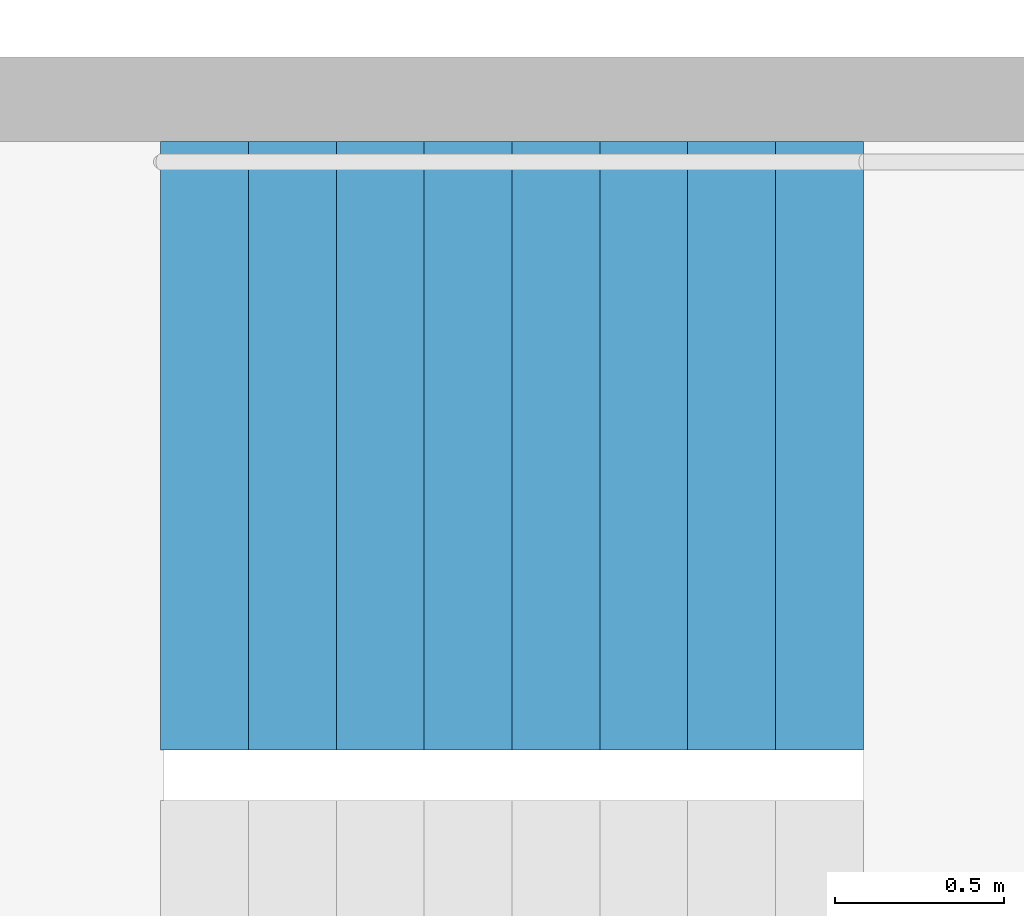
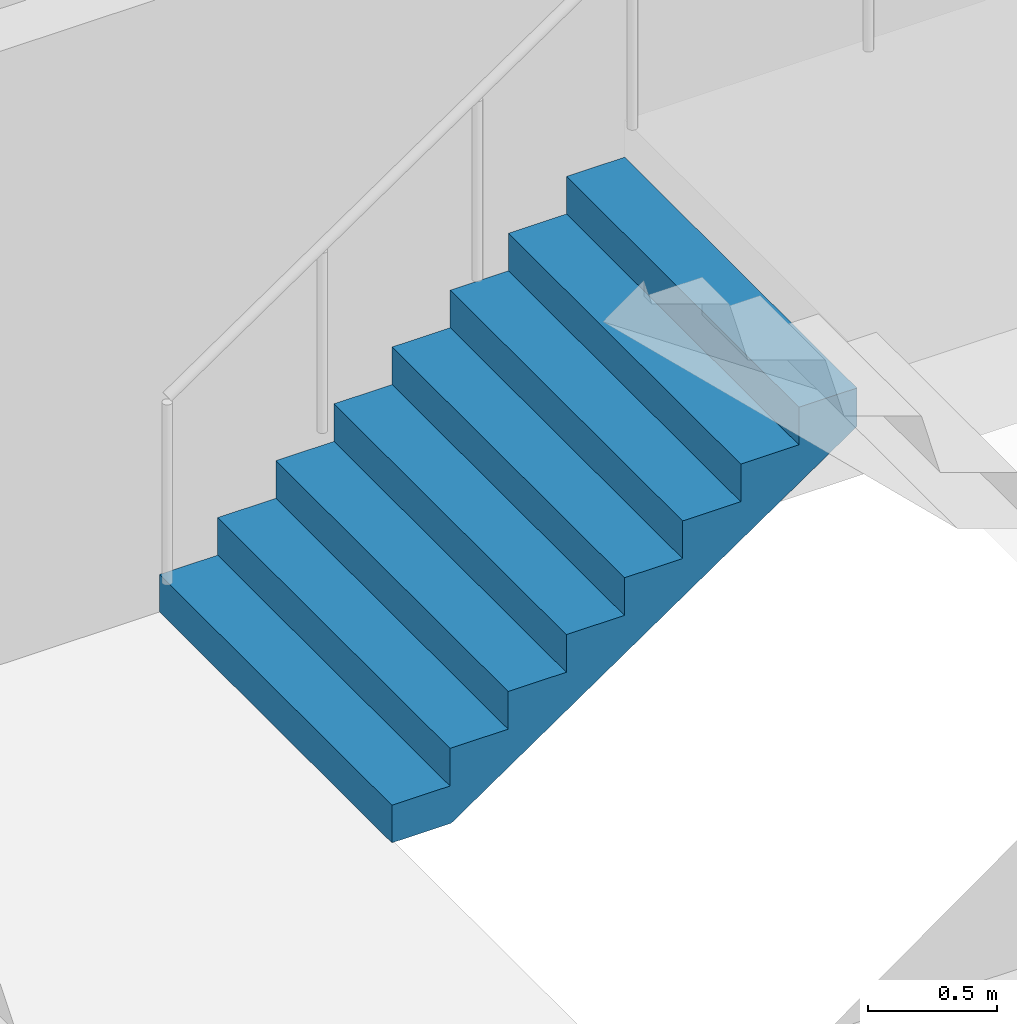
# One storey, part 23 of 26: 1 stair flight, 1 element without a shape of its own.
"""IFC4 building model written with IfcOpenShell, lengths in metres."""

from ifc_helpers import new_model, si_unit, direction, frame, origin, place, context, subcontext, project, spatial, triangles, material, type_object, element, aggregate, save


model = new_model("IFC4")

# Units and contexts
model_context = context("Model", 3, precision=1e-05, world=origin(), true_north=direction((0.0, 1.0)))
body_context = subcontext(model_context, "Body", "Model", "MODEL_VIEW")
ifc_project = project(units=[si_unit("LENGTHUNIT", "METRE"), si_unit("AREAUNIT", "SQUARE_METRE"), si_unit("VOLUMEUNIT", "CUBIC_METRE"), si_unit("PLANEANGLEUNIT", "RADIAN"), si_unit("MASSUNIT", "GRAM", prefix="KILO")], contexts=[model_context])

# Site, building, storey
site_placement = place(None, origin())
site = spatial("IfcSite", under=ifc_project, at=site_placement, CompositionType="ELEMENT")
building_placement = place(site_placement, origin())
building = spatial("IfcBuilding", under=site, at=building_placement, Name="Hakoniwa Tower and Hamabe Station Hall", CompositionType="ELEMENT")
storey_placement = place(building_placement, frame((0.0, 0.0, 172.60009765625)))
storey = spatial("IfcBuildingStorey", under=building, at=storey_placement, Name="L49", CompositionType="ELEMENT", Elevation=172.60009765625)

# Stair, stair flight
ifc_material_1 = material(Name="Concrete C40", Category="concrete")
stair_type = type_object("IfcStairType", Name="ESCAPE STAIR 1800", PredefinedType="HALF_TURN_STAIR", material=ifc_material_1)
stair_placement = place(storey_placement, origin())
stair = element("IfcStair", 1, at=stair_placement, inside=storey, type_object=stair_type, Name="Escape stair ST-4 L49", PredefinedType="HALF_TURN_STAIR")
ifc_material_2 = material(Name="Concrete C40", Category="concrete")
stair_flight_type = type_object("IfcStairFlightType", Name="STAIR FLIGHT 1800", PredefinedType="STRAIGHT", material=ifc_material_2)
stair_flight_placement = place(storey_placement, frame((23.39990234375, -4.64990234375, 0.0), z_axis=(0.0, 0.0, 1.0), x_axis=(1.0, 0.0, 0.0)))
stair_flight = element("IfcStairFlight", 2, at=stair_flight_placement, type_object=stair_flight_type, Name="ST-4 flight 1", NumberOfRisers=9, NumberOfTreads=8, PredefinedType="STRAIGHT", RiserHeight=0.177777778, TreadLength=0.26, context=body_context, shape_type="Tessellation", body=[
    triangles([(0.0, 0.89990234375, 0.0), (0.260009765625, 0.89990234375, 0.0), (0.265625, 0.89990234375, 0.0), (0.52001953125, 0.89990234375, 0.174072265625), (0.780029296875, 0.89990234375, 0.351806640625), (1.0400390625, 0.89990234375, 0.529541015625), (1.300048828125, 0.89990234375, 0.707275390625), (1.56005859375, 0.89990234375, 0.885009765625), (1.820068359375, 0.89990234375, 1.062744140625), (2.080078125, 0.89990234375, 1.24072265625), (2.080078125, 0.89990234375, 1.422119140625), (1.820068359375, 0.89990234375, 1.422119140625), (1.820068359375, 0.89990234375, 1.244384765625), (1.56005859375, 0.89990234375, 1.244384765625), (1.56005859375, 0.89990234375, 1.066650390625), (1.300048828125, 0.89990234375, 1.066650390625), (1.300048828125, 0.89990234375, 0.888916015625), (1.0400390625, 0.89990234375, 0.888916015625), (1.0400390625, 0.89990234375, 0.711181640625), (0.780029296875, 0.89990234375, 0.711181640625), (0.780029296875, 0.89990234375, 0.533447265625), (0.52001953125, 0.89990234375, 0.533447265625), (0.52001953125, 0.89990234375, 0.35546875), (0.265625, 0.89990234375, 0.35546875), (0.260009765625, 0.89990234375, 0.35546875), (0.260009765625, 0.89990234375, 0.177734375), (0.0, 0.89990234375, 0.177734375), (0.0, 0.06005859375, 0.0), (0.260009765625, 0.06005859375, 0.0), (0.265625, 0.06005859375, 0.0), (0.52001953125, 0.06005859375, 0.174072265625), (0.780029296875, 0.06005859375, 0.351806640625), (1.0400390625, 0.06005859375, 0.529541015625), (1.300048828125, 0.06005859375, 0.707275390625), (1.56005859375, 0.06005859375, 0.885009765625), (1.820068359375, 0.06005859375, 1.062744140625), (2.080078125, 0.06005859375, 1.24072265625), (2.080078125, 0.06005859375, 1.422119140625), (1.820068359375, 0.06005859375, 1.422119140625), (1.820068359375, 0.06005859375, 1.244384765625), (1.56005859375, 0.06005859375, 1.244384765625), (1.56005859375, 0.06005859375, 1.066650390625), (1.300048828125, 0.06005859375, 1.066650390625), (1.300048828125, 0.06005859375, 0.888916015625), (1.0400390625, 0.06005859375, 0.888916015625), (1.0400390625, 0.06005859375, 0.711181640625), (0.780029296875, 0.06005859375, 0.711181640625), (0.780029296875, 0.06005859375, 0.533447265625), (0.52001953125, 0.06005859375, 0.533447265625), (0.52001953125, 0.06005859375, 0.35546875), (0.265625, 0.06005859375, 0.35546875), (0.260009765625, 0.06005859375, 0.35546875), (0.260009765625, 0.06005859375, 0.177734375), (0.0, 0.06005859375, 0.177734375), (0.0, 0.04296875, 0.0), (0.260009765625, 0.04296875, 0.0), (0.265625, 0.04296875, 0.0), (0.52001953125, 0.04296875, 0.174072265625), (0.780029296875, 0.04296875, 0.351806640625), (1.0400390625, 0.04296875, 0.529541015625), (1.300048828125, 0.04296875, 0.707275390625), (1.56005859375, 0.04296875, 0.885009765625), (1.820068359375, 0.04296875, 1.062744140625), (2.080078125, 0.04296875, 1.24072265625), (2.080078125, 0.04296875, 1.422119140625), (1.820068359375, 0.04296875, 1.422119140625), (1.820068359375, 0.04296875, 1.244384765625), (1.56005859375, 0.04296875, 1.244384765625), (1.56005859375, 0.04296875, 1.066650390625), (1.300048828125, 0.04296875, 1.066650390625), (1.300048828125, 0.04296875, 0.888916015625), (1.0400390625, 0.04296875, 0.888916015625), (1.0400390625, 0.04296875, 0.711181640625), (0.780029296875, 0.04296875, 0.711181640625), (0.780029296875, 0.04296875, 0.533447265625), (0.52001953125, 0.04296875, 0.533447265625), (0.52001953125, 0.04296875, 0.35546875), (0.265625, 0.04296875, 0.35546875), (0.260009765625, 0.04296875, 0.35546875), (0.260009765625, 0.04296875, 0.177734375), (0.0, 0.04296875, 0.177734375), (0.0, 0.025634765625, 0.0), (0.260009765625, 0.025634765625, 0.0), (0.265625, 0.025634765625, 0.0), (0.52001953125, 0.025634765625, 0.174072265625), (0.780029296875, 0.025634765625, 0.351806640625), (1.0400390625, 0.025634765625, 0.529541015625), (1.300048828125, 0.025634765625, 0.707275390625), (1.56005859375, 0.025634765625, 0.885009765625), (1.820068359375, 0.025634765625, 1.062744140625), (2.080078125, 0.025634765625, 1.24072265625), (2.080078125, 0.025634765625, 1.422119140625), (1.820068359375, 0.025634765625, 1.422119140625), (1.820068359375, 0.025634765625, 1.244384765625), (1.56005859375, 0.025634765625, 1.244384765625), (1.56005859375, 0.025634765625, 1.066650390625), (1.300048828125, 0.025634765625, 1.066650390625), (1.300048828125, 0.025634765625, 0.888916015625), (1.0400390625, 0.025634765625, 0.888916015625), (1.0400390625, 0.025634765625, 0.711181640625), (0.780029296875, 0.025634765625, 0.711181640625), (0.780029296875, 0.025634765625, 0.533447265625), (0.52001953125, 0.025634765625, 0.533447265625), (0.52001953125, 0.025634765625, 0.35546875), (0.265625, 0.025634765625, 0.35546875), (0.260009765625, 0.025634765625, 0.35546875), (0.260009765625, 0.025634765625, 0.177734375), (0.0, 0.025634765625, 0.177734375), (0.0, 0.008544921875, 0.0), (0.260009765625, 0.008544921875, 0.0), (0.265625, 0.008544921875, 0.0), (0.52001953125, 0.008544921875, 0.174072265625), (0.780029296875, 0.008544921875, 0.351806640625), (1.0400390625, 0.008544921875, 0.529541015625), (1.300048828125, 0.008544921875, 0.707275390625), (1.56005859375, 0.008544921875, 0.885009765625), (1.820068359375, 0.008544921875, 1.062744140625), (2.080078125, 0.008544921875, 1.24072265625), (2.080078125, 0.008544921875, 1.422119140625), (1.820068359375, 0.008544921875, 1.422119140625), (1.820068359375, 0.008544921875, 1.244384765625), (1.56005859375, 0.008544921875, 1.244384765625), (1.56005859375, 0.008544921875, 1.066650390625), (1.300048828125, 0.008544921875, 1.066650390625), (1.300048828125, 0.008544921875, 0.888916015625), (1.0400390625, 0.008544921875, 0.888916015625), (1.0400390625, 0.008544921875, 0.711181640625), (0.780029296875, 0.008544921875, 0.711181640625), (0.780029296875, 0.008544921875, 0.533447265625), (0.52001953125, 0.008544921875, 0.533447265625), (0.52001953125, 0.008544921875, 0.35546875), (0.265625, 0.008544921875, 0.35546875), (0.260009765625, 0.008544921875, 0.35546875), (0.260009765625, 0.008544921875, 0.177734375), (0.0, 0.008544921875, 0.177734375), (0.0, -0.008544921875, 0.0), (0.260009765625, -0.008544921875, 0.0), (0.265625, -0.008544921875, 0.0), (0.52001953125, -0.008544921875, 0.174072265625), (0.780029296875, -0.008544921875, 0.351806640625), (1.0400390625, -0.008544921875, 0.529541015625), (1.300048828125, -0.008544921875, 0.707275390625), (1.56005859375, -0.008544921875, 0.885009765625), (1.820068359375, -0.008544921875, 1.062744140625), (2.080078125, -0.008544921875, 1.24072265625), (2.080078125, -0.008544921875, 1.422119140625), (1.820068359375, -0.008544921875, 1.422119140625), (1.820068359375, -0.008544921875, 1.244384765625), (1.56005859375, -0.008544921875, 1.244384765625), (1.56005859375, -0.008544921875, 1.066650390625), (1.300048828125, -0.008544921875, 1.066650390625), (1.300048828125, -0.008544921875, 0.888916015625), (1.0400390625, -0.008544921875, 0.888916015625), (1.0400390625, -0.008544921875, 0.711181640625), (0.780029296875, -0.008544921875, 0.711181640625), (0.780029296875, -0.008544921875, 0.533447265625), (0.52001953125, -0.008544921875, 0.533447265625), (0.52001953125, -0.008544921875, 0.35546875), (0.265625, -0.008544921875, 0.35546875), (0.260009765625, -0.008544921875, 0.35546875), (0.260009765625, -0.008544921875, 0.177734375), (0.0, -0.008544921875, 0.177734375), (0.0, -0.025634765625, 0.0), (0.260009765625, -0.025634765625, 0.0), (0.265625, -0.025634765625, 0.0), (0.52001953125, -0.025634765625, 0.174072265625), (0.780029296875, -0.025634765625, 0.351806640625), (1.0400390625, -0.025634765625, 0.529541015625), (1.300048828125, -0.025634765625, 0.707275390625), (1.56005859375, -0.025634765625, 0.885009765625), (1.820068359375, -0.025634765625, 1.062744140625), (2.080078125, -0.025634765625, 1.24072265625), (2.080078125, -0.025634765625, 1.422119140625), (1.820068359375, -0.025634765625, 1.422119140625), (1.820068359375, -0.025634765625, 1.244384765625), (1.56005859375, -0.025634765625, 1.244384765625), (1.56005859375, -0.025634765625, 1.066650390625), (1.300048828125, -0.025634765625, 1.066650390625), (1.300048828125, -0.025634765625, 0.888916015625), (1.0400390625, -0.025634765625, 0.888916015625), (1.0400390625, -0.025634765625, 0.711181640625), (0.780029296875, -0.025634765625, 0.711181640625), (0.780029296875, -0.025634765625, 0.533447265625), (0.52001953125, -0.025634765625, 0.533447265625), (0.52001953125, -0.025634765625, 0.35546875), (0.265625, -0.025634765625, 0.35546875), (0.260009765625, -0.025634765625, 0.35546875), (0.260009765625, -0.025634765625, 0.177734375), (0.0, -0.025634765625, 0.177734375), (0.0, -0.04296875, 0.0), (0.260009765625, -0.04296875, 0.0), (0.265625, -0.04296875, 0.0), (0.52001953125, -0.04296875, 0.174072265625), (0.780029296875, -0.04296875, 0.351806640625), (1.0400390625, -0.04296875, 0.529541015625), (1.300048828125, -0.04296875, 0.707275390625), (1.56005859375, -0.04296875, 0.885009765625), (1.820068359375, -0.04296875, 1.062744140625), (2.080078125, -0.04296875, 1.24072265625), (2.080078125, -0.04296875, 1.422119140625), (1.820068359375, -0.04296875, 1.422119140625), (1.820068359375, -0.04296875, 1.244384765625), (1.56005859375, -0.04296875, 1.244384765625), (1.56005859375, -0.04296875, 1.066650390625), (1.300048828125, -0.04296875, 1.066650390625), (1.300048828125, -0.04296875, 0.888916015625), (1.0400390625, -0.04296875, 0.888916015625), (1.0400390625, -0.04296875, 0.711181640625), (0.780029296875, -0.04296875, 0.711181640625), (0.780029296875, -0.04296875, 0.533447265625), (0.52001953125, -0.04296875, 0.533447265625), (0.52001953125, -0.04296875, 0.35546875), (0.265625, -0.04296875, 0.35546875), (0.260009765625, -0.04296875, 0.35546875), (0.260009765625, -0.04296875, 0.177734375), (0.0, -0.04296875, 0.177734375), (0.0, -0.06005859375, 0.0), (0.260009765625, -0.06005859375, 0.0), (0.265625, -0.06005859375, 0.0), (0.52001953125, -0.06005859375, 0.174072265625), (0.780029296875, -0.06005859375, 0.351806640625), (1.0400390625, -0.06005859375, 0.529541015625), (1.300048828125, -0.06005859375, 0.707275390625), (1.56005859375, -0.06005859375, 0.885009765625), (1.820068359375, -0.06005859375, 1.062744140625), (2.080078125, -0.06005859375, 1.24072265625), (2.080078125, -0.06005859375, 1.422119140625), (1.820068359375, -0.06005859375, 1.422119140625), (1.820068359375, -0.06005859375, 1.244384765625), (1.56005859375, -0.06005859375, 1.244384765625), (1.56005859375, -0.06005859375, 1.066650390625), (1.300048828125, -0.06005859375, 1.066650390625), (1.300048828125, -0.06005859375, 0.888916015625), (1.0400390625, -0.06005859375, 0.888916015625), (1.0400390625, -0.06005859375, 0.711181640625), (0.780029296875, -0.06005859375, 0.711181640625), (0.780029296875, -0.06005859375, 0.533447265625), (0.52001953125, -0.06005859375, 0.533447265625), (0.52001953125, -0.06005859375, 0.35546875), (0.265625, -0.06005859375, 0.35546875), (0.260009765625, -0.06005859375, 0.35546875), (0.260009765625, -0.06005859375, 0.177734375), (0.0, -0.06005859375, 0.177734375), (0.0, -0.89990234375, 0.0), (0.260009765625, -0.89990234375, 0.0), (0.265625, -0.89990234375, 0.0), (0.52001953125, -0.89990234375, 0.174072265625), (0.780029296875, -0.89990234375, 0.351806640625), (1.0400390625, -0.89990234375, 0.529541015625), (1.300048828125, -0.89990234375, 0.707275390625), (1.56005859375, -0.89990234375, 0.885009765625), (1.820068359375, -0.89990234375, 1.062744140625), (2.080078125, -0.89990234375, 1.24072265625), (2.080078125, -0.89990234375, 1.422119140625), (1.820068359375, -0.89990234375, 1.422119140625), (1.820068359375, -0.89990234375, 1.244384765625), (1.56005859375, -0.89990234375, 1.244384765625), (1.56005859375, -0.89990234375, 1.066650390625), (1.300048828125, -0.89990234375, 1.066650390625), (1.300048828125, -0.89990234375, 0.888916015625), (1.0400390625, -0.89990234375, 0.888916015625), (1.0400390625, -0.89990234375, 0.711181640625), (0.780029296875, -0.89990234375, 0.711181640625), (0.780029296875, -0.89990234375, 0.533447265625), (0.52001953125, -0.89990234375, 0.533447265625), (0.52001953125, -0.89990234375, 0.35546875), (0.265625, -0.89990234375, 0.35546875), (0.260009765625, -0.89990234375, 0.35546875), (0.260009765625, -0.89990234375, 0.177734375), (0.0, -0.89990234375, 0.177734375)], [[2, 27, 26], [245, 269, 270], [2, 1, 27], [245, 270, 244], [3, 25, 24], [246, 267, 268], [3, 26, 25], [246, 268, 269], [3, 2, 26], [246, 269, 245], [4, 24, 23], [247, 266, 267], [4, 3, 24], [247, 267, 246], [5, 22, 21], [248, 264, 265], [5, 23, 22], [248, 265, 266], [5, 4, 23], [248, 266, 247], [6, 20, 19], [249, 262, 263], [6, 21, 20], [249, 263, 264], [6, 5, 21], [249, 264, 248], [7, 18, 17], [250, 260, 261], [7, 19, 18], [250, 261, 262], [7, 6, 19], [250, 262, 249], [8, 16, 15], [251, 258, 259], [8, 17, 16], [251, 259, 260], [8, 7, 17], [251, 260, 250], [9, 14, 13], [252, 256, 257], [9, 15, 14], [252, 257, 258], [9, 8, 15], [252, 258, 251], [10, 12, 11], [253, 254, 255], [10, 13, 12], [253, 255, 256], [10, 9, 13], [253, 256, 252], [1, 2, 29], [1, 29, 28], [28, 29, 56], [28, 56, 55], [55, 56, 83], [55, 83, 82], [82, 83, 110], [82, 110, 109], [109, 110, 137], [109, 137, 136], [136, 137, 164], [136, 164, 163], [163, 164, 191], [163, 191, 190], [190, 191, 218], [190, 218, 217], [217, 218, 245], [217, 245, 244], [2, 3, 30], [2, 30, 29], [29, 30, 57], [29, 57, 56], [56, 57, 84], [56, 84, 83], [83, 84, 111], [83, 111, 110], [110, 111, 138], [110, 138, 137], [137, 138, 165], [137, 165, 164], [164, 165, 192], [164, 192, 191], [191, 192, 219], [191, 219, 218], [218, 219, 246], [218, 246, 245], [3, 4, 31], [3, 31, 30], [30, 31, 58], [30, 58, 57], [57, 58, 85], [57, 85, 84], [84, 85, 112], [84, 112, 111], [111, 112, 139], [111, 139, 138], [138, 139, 166], [138, 166, 165], [165, 166, 193], [165, 193, 192], [192, 193, 220], [192, 220, 219], [219, 220, 247], [219, 247, 246], [4, 5, 32], [4, 32, 31], [31, 32, 59], [31, 59, 58], [58, 59, 86], [58, 86, 85], [85, 86, 113], [85, 113, 112], [112, 113, 140], [112, 140, 139], [139, 140, 167], [139, 167, 166], [166, 167, 194], [166, 194, 193], [193, 194, 221], [193, 221, 220], [220, 221, 248], [220, 248, 247], [5, 6, 33], [5, 33, 32], [32, 33, 60], [32, 60, 59], [59, 60, 87], [59, 87, 86], [86, 87, 114], [86, 114, 113], [113, 114, 141], [113, 141, 140], [140, 141, 168], [140, 168, 167], [167, 168, 195], [167, 195, 194], [194, 195, 222], [194, 222, 221], [221, 222, 249], [221, 249, 248], [6, 7, 34], [6, 34, 33], [33, 34, 61], [33, 61, 60], [60, 61, 88], [60, 88, 87], [87, 88, 115], [87, 115, 114], [114, 115, 142], [114, 142, 141], [141, 142, 169], [141, 169, 168], [168, 169, 196], [168, 196, 195], [195, 196, 223], [195, 223, 222], [222, 223, 250], [222, 250, 249], [7, 8, 35], [7, 35, 34], [34, 35, 62], [34, 62, 61], [61, 62, 89], [61, 89, 88], [88, 89, 116], [88, 116, 115], [115, 116, 143], [115, 143, 142], [142, 143, 170], [142, 170, 169], [169, 170, 197], [169, 197, 196], [196, 197, 224], [196, 224, 223], [223, 224, 251], [223, 251, 250], [8, 9, 36], [8, 36, 35], [35, 36, 63], [35, 63, 62], [62, 63, 90], [62, 90, 89], [89, 90, 117], [89, 117, 116], [116, 117, 144], [116, 144, 143], [143, 144, 171], [143, 171, 170], [170, 171, 198], [170, 198, 197], [197, 198, 225], [197, 225, 224], [224, 225, 252], [224, 252, 251], [9, 10, 37], [9, 37, 36], [36, 37, 64], [36, 64, 63], [63, 64, 91], [63, 91, 90], [90, 91, 118], [90, 118, 117], [117, 118, 145], [117, 145, 144], [144, 145, 172], [144, 172, 171], [171, 172, 199], [171, 199, 198], [198, 199, 226], [198, 226, 225], [225, 226, 253], [225, 253, 252], [10, 11, 38], [10, 38, 37], [37, 38, 65], [37, 65, 64], [64, 65, 92], [64, 92, 91], [91, 92, 119], [91, 119, 118], [118, 119, 146], [118, 146, 145], [145, 146, 173], [145, 173, 172], [172, 173, 200], [172, 200, 199], [199, 200, 227], [199, 227, 226], [226, 227, 254], [226, 254, 253], [11, 12, 39], [11, 39, 38], [38, 39, 66], [38, 66, 65], [65, 66, 93], [65, 93, 92], [92, 93, 120], [92, 120, 119], [119, 120, 147], [119, 147, 146], [146, 147, 174], [146, 174, 173], [173, 174, 201], [173, 201, 200], [200, 201, 228], [200, 228, 227], [227, 228, 255], [227, 255, 254], [12, 13, 40], [12, 40, 39], [39, 40, 67], [39, 67, 66], [66, 67, 94], [66, 94, 93], [93, 94, 121], [93, 121, 120], [120, 121, 148], [120, 148, 147], [147, 148, 175], [147, 175, 174], [174, 175, 202], [174, 202, 201], [201, 202, 229], [201, 229, 228], [228, 229, 256], [228, 256, 255], [13, 14, 41], [13, 41, 40], [40, 41, 68], [40, 68, 67], [67, 68, 95], [67, 95, 94], [94, 95, 122], [94, 122, 121], [121, 122, 149], [121, 149, 148], [148, 149, 176], [148, 176, 175], [175, 176, 203], [175, 203, 202], [202, 203, 230], [202, 230, 229], [229, 230, 257], [229, 257, 256], [14, 15, 42], [14, 42, 41], [41, 42, 69], [41, 69, 68], [68, 69, 96], [68, 96, 95], [95, 96, 123], [95, 123, 122], [122, 123, 150], [122, 150, 149], [149, 150, 177], [149, 177, 176], [176, 177, 204], [176, 204, 203], [203, 204, 231], [203, 231, 230], [230, 231, 258], [230, 258, 257], [15, 16, 43], [15, 43, 42], [42, 43, 70], [42, 70, 69], [69, 70, 97], [69, 97, 96], [96, 97, 124], [96, 124, 123], [123, 124, 151], [123, 151, 150], [150, 151, 178], [150, 178, 177], [177, 178, 205], [177, 205, 204], [204, 205, 232], [204, 232, 231], [231, 232, 259], [231, 259, 258], [16, 17, 44], [16, 44, 43], [43, 44, 71], [43, 71, 70], [70, 71, 98], [70, 98, 97], [97, 98, 125], [97, 125, 124], [124, 125, 152], [124, 152, 151], [151, 152, 179], [151, 179, 178], [178, 179, 206], [178, 206, 205], [205, 206, 233], [205, 233, 232], [232, 233, 260], [232, 260, 259], [17, 18, 45], [17, 45, 44], [44, 45, 72], [44, 72, 71], [71, 72, 99], [71, 99, 98], [98, 99, 126], [98, 126, 125], [125, 126, 153], [125, 153, 152], [152, 153, 180], [152, 180, 179], [179, 180, 207], [179, 207, 206], [206, 207, 234], [206, 234, 233], [233, 234, 261], [233, 261, 260], [18, 19, 46], [18, 46, 45], [45, 46, 73], [45, 73, 72], [72, 73, 100], [72, 100, 99], [99, 100, 127], [99, 127, 126], [126, 127, 154], [126, 154, 153], [153, 154, 181], [153, 181, 180], [180, 181, 208], [180, 208, 207], [207, 208, 235], [207, 235, 234], [234, 235, 262], [234, 262, 261], [19, 20, 47], [19, 47, 46], [46, 47, 74], [46, 74, 73], [73, 74, 101], [73, 101, 100], [100, 101, 128], [100, 128, 127], [127, 128, 155], [127, 155, 154], [154, 155, 182], [154, 182, 181], [181, 182, 209], [181, 209, 208], [208, 209, 236], [208, 236, 235], [235, 236, 263], [235, 263, 262], [20, 21, 48], [20, 48, 47], [47, 48, 75], [47, 75, 74], [74, 75, 102], [74, 102, 101], [101, 102, 129], [101, 129, 128], [128, 129, 156], [128, 156, 155], [155, 156, 183], [155, 183, 182], [182, 183, 210], [182, 210, 209], [209, 210, 237], [209, 237, 236], [236, 237, 264], [236, 264, 263], [21, 22, 49], [21, 49, 48], [48, 49, 76], [48, 76, 75], [75, 76, 103], [75, 103, 102], [102, 103, 130], [102, 130, 129], [129, 130, 157], [129, 157, 156], [156, 157, 184], [156, 184, 183], [183, 184, 211], [183, 211, 210], [210, 211, 238], [210, 238, 237], [237, 238, 265], [237, 265, 264], [22, 23, 50], [22, 50, 49], [49, 50, 77], [49, 77, 76], [76, 77, 104], [76, 104, 103], [103, 104, 131], [103, 131, 130], [130, 131, 158], [130, 158, 157], [157, 158, 185], [157, 185, 184], [184, 185, 212], [184, 212, 211], [211, 212, 239], [211, 239, 238], [238, 239, 266], [238, 266, 265], [23, 24, 51], [23, 51, 50], [50, 51, 78], [50, 78, 77], [77, 78, 105], [77, 105, 104], [104, 105, 132], [104, 132, 131], [131, 132, 159], [131, 159, 158], [158, 159, 186], [158, 186, 185], [185, 186, 213], [185, 213, 212], [212, 213, 240], [212, 240, 239], [239, 240, 267], [239, 267, 266], [24, 25, 52], [24, 52, 51], [51, 52, 79], [51, 79, 78], [78, 79, 106], [78, 106, 105], [105, 106, 133], [105, 133, 132], [132, 133, 160], [132, 160, 159], [159, 160, 187], [159, 187, 186], [186, 187, 214], [186, 214, 213], [213, 214, 241], [213, 241, 240], [240, 241, 268], [240, 268, 267], [25, 26, 53], [25, 53, 52], [52, 53, 80], [52, 80, 79], [79, 80, 107], [79, 107, 106], [106, 107, 134], [106, 134, 133], [133, 134, 161], [133, 161, 160], [160, 161, 188], [160, 188, 187], [187, 188, 215], [187, 215, 214], [214, 215, 242], [214, 242, 241], [241, 242, 269], [241, 269, 268], [26, 27, 54], [26, 54, 53], [53, 54, 81], [53, 81, 80], [80, 81, 108], [80, 108, 107], [107, 108, 135], [107, 135, 134], [134, 135, 162], [134, 162, 161], [161, 162, 189], [161, 189, 188], [188, 189, 216], [188, 216, 215], [215, 216, 243], [215, 243, 242], [242, 243, 270], [242, 270, 269], [27, 1, 28], [27, 28, 54], [54, 28, 55], [54, 55, 81], [81, 55, 82], [81, 82, 108], [108, 82, 109], [108, 109, 135], [135, 109, 136], [135, 136, 162], [162, 136, 163], [162, 163, 189], [189, 163, 190], [189, 190, 216], [216, 190, 217], [216, 217, 243], [243, 217, 244], [243, 244, 270]], closed=True),
])
aggregate(stair, [stair_flight])

save(model, "model.ifc")
